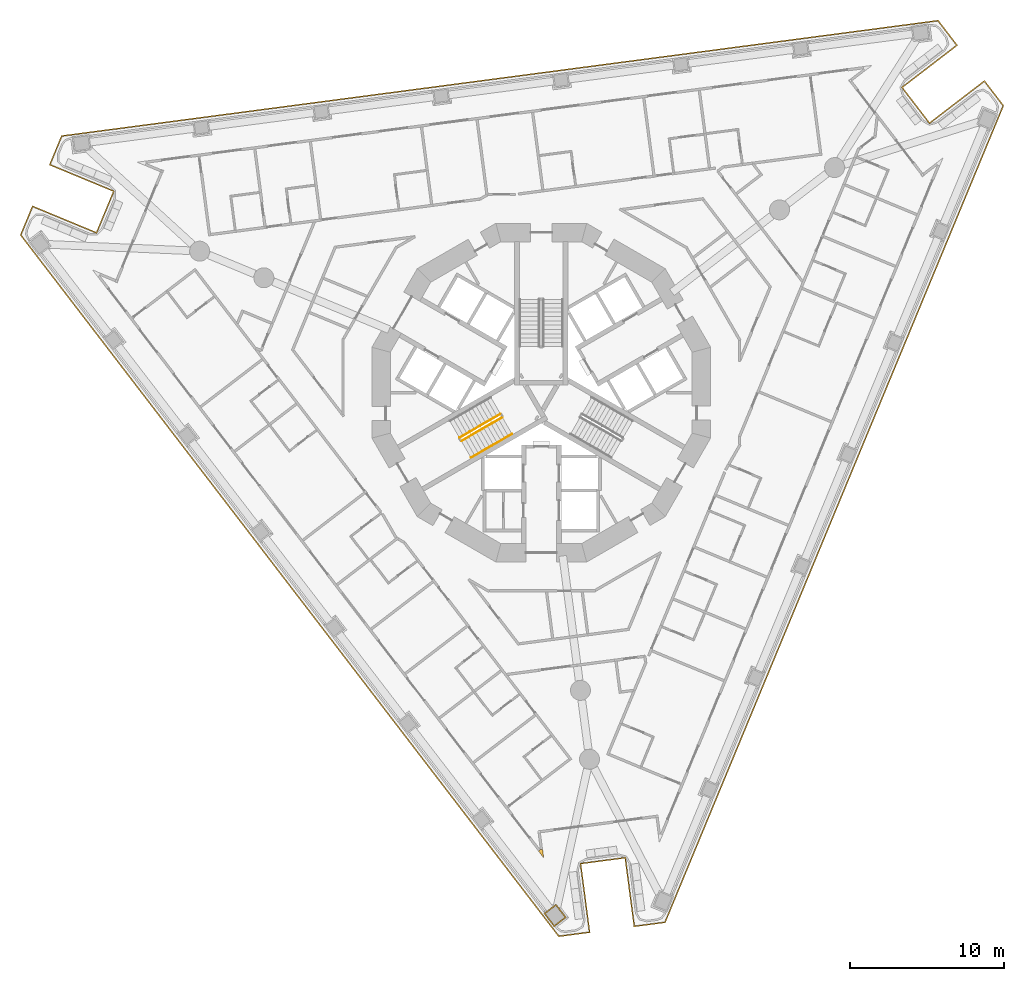
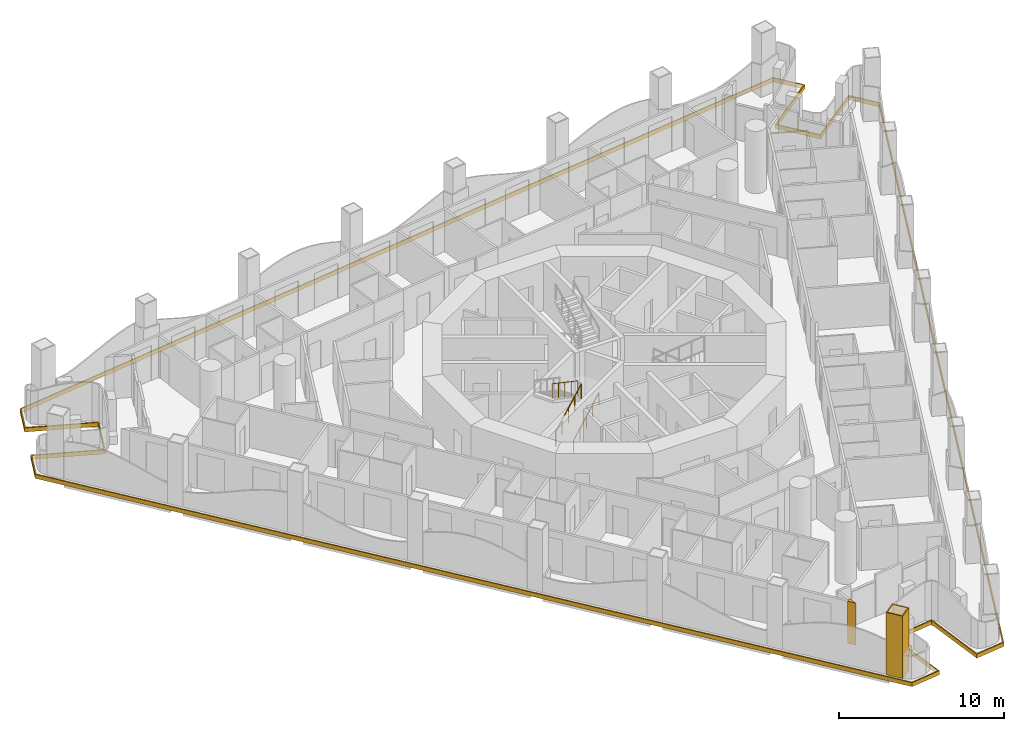
# One storey, part 13 of 19: 4 railings, 3 coverings.
"""IFC4 building model written with IfcOpenShell, lengths in metres."""

import ifcopenshell
import ifcopenshell.guid

model = None  # the IFC model being written
_history = None  # IfcOwnerHistory: only IFC2X3 demands one
_inside = {}  # id of a spatial element -> (the spatial element, [elements in it])
_under = {}  # id of a project, library or spatial element -> (it, [spatial elements below it])
_declared = {}  # id of a project -> (the project, [libraries it declares])
_typed = {}  # id of a type object -> (the type object, [elements of that type])
_made_of = {}  # id of a material, layer set ... -> (it, [elements and type objects made of it])


def new_model(schema):
    """Start an empty IFC model of exactly this schema.

    Asked for "IFC4X3", IfcOpenShell would pick the latest addendum, in which some entities
    have other attributes; the version numbers below select the first issue.
    IFC2X3 requires an IfcOwnerHistory on every rooted entity: one is made here for all.
    """
    global model, _history
    if schema == "IFC4X3":
        model = ifcopenshell.file(schema_version=(4, 3, 0, 0))
    else:
        model = ifcopenshell.file(schema=schema)
    _inside.clear()
    _under.clear()
    _declared.clear()
    _typed.clear()
    _made_of.clear()
    _history = None
    if model.schema == "IFC2X3":
        org = make("IfcOrganization", Name="unknown")
        user = make(
            "IfcPersonAndOrganization",
            ThePerson=make("IfcPerson", FamilyName="unknown"),
            TheOrganization=org,
        )
        app = make(
            "IfcApplication",
            ApplicationDeveloper=org,
            Version="unknown",
            ApplicationFullName="unknown",
            ApplicationIdentifier="unknown",
        )
        _history = make(
            "IfcOwnerHistory",
            OwningUser=user,
            OwningApplication=app,
            ChangeAction="ADDED",
            CreationDate=0,
        )
    return model


def make(cls, **values):
    """One entity of the class cls with the attributes given. An attribute that is None is left unset."""
    return model.create_entity(
        cls, **{name: value for name, value in values.items() if value is not None}
    )


def rooted(cls, **values):
    """An entity with a GlobalId (a new one), such as an element, a storey or a relation."""
    return make(cls, GlobalId=ifcopenshell.guid.new(), OwnerHistory=_history, **values)


def si_unit(unit_type, name, prefix=None):
    """IfcSIUnit, for example si_unit("LENGTHUNIT", "METRE", prefix="MILLI")."""
    return make("IfcSIUnit", UnitType=unit_type, Prefix=prefix, Name=name)


def assignment(units):
    """IfcUnitAssignment: the units of a project."""
    return None if units is None else make("IfcUnitAssignment", Units=units)


def point(xyz):
    """IfcCartesianPoint."""
    return None if xyz is None else make("IfcCartesianPoint", Coordinates=xyz)


def direction(xyz):
    """IfcDirection."""
    return None if xyz is None else make("IfcDirection", DirectionRatios=xyz)


def frame(location, z_axis=None, x_axis=None):
    """IfcAxis2Placement3D, a coordinate frame: its origin and axes. An axis left out is left unset."""
    return make(
        "IfcAxis2Placement3D",
        Location=point(location),
        Axis=direction(z_axis),
        RefDirection=direction(x_axis),
    )


def frame_2d(location, x_axis=None):
    """IfcAxis2Placement2D, a coordinate frame in the plane: its origin and x axis."""
    return make(
        "IfcAxis2Placement2D", Location=point(location), RefDirection=direction(x_axis)
    )


def origin():
    """The frame at (0, 0, 0) with its axes left unset."""
    return frame((0.0, 0.0, 0.0))


def origin_2d():
    """The frame at (0, 0) in the plane with its x axis left unset."""
    return frame_2d((0.0, 0.0))


def place(relative_to, where):
    """IfcLocalPlacement: puts the frame where relative to a parent placement (None: the world)."""
    return make(
        "IfcLocalPlacement", PlacementRelTo=relative_to, RelativePlacement=where
    )


def context(
    kind, dimensions, precision=None, world=None, true_north=None, identifier=None
):
    """IfcGeometricRepresentationContext, for example the 3D "Model" context."""
    return make(
        "IfcGeometricRepresentationContext",
        ContextIdentifier=identifier,
        ContextType=kind,
        CoordinateSpaceDimension=dimensions,
        Precision=precision,
        WorldCoordinateSystem=world,
        TrueNorth=true_north,
    )


def subcontext(parent, identifier, kind, view, scale=None):
    """IfcGeometricRepresentationSubContext, for example "Body" below "Model"."""
    return make(
        "IfcGeometricRepresentationSubContext",
        ContextIdentifier=identifier,
        ContextType=kind,
        ParentContext=parent,
        TargetScale=scale,
        TargetView=view,
    )


def project(units=None, contexts=None):
    """IfcProject with its units and contexts."""
    return rooted(
        "IfcProject",
        Name="project",
        RepresentationContexts=contexts,
        UnitsInContext=assignment(units),
    )


def spatial(cls, under=None, at=None, **own):
    """A site, building, storey or space (cls), placed at a placement, below another one or the project."""
    s = rooted(cls, ObjectPlacement=at, **own)
    if under is not None:
        _under.setdefault(under.id(), (under, []))[1].append(s)
    return s


def polyline(points):
    """IfcPolyline through the points."""
    return make("IfcPolyline", Points=[point(p) for p in points])


def profile(cls, at=None, kind="AREA", **sizes):
    """A parametric profile (cls). Its sizes go by their IFC names, for example OverallWidth=200.0."""
    return make(cls, ProfileType=kind, Position=at, **sizes)


def circle(**sizes):
    """IfcCircleProfileDef."""
    return profile("IfcCircleProfileDef", **sizes)


def outline(outer, holes=None, kind="AREA"):
    """IfcArbitraryClosedProfileDef: a profile drawn as a closed curve; with holes, ...WithVoids."""
    if holes is None:
        return make("IfcArbitraryClosedProfileDef", ProfileType=kind, OuterCurve=outer)
    return make(
        "IfcArbitraryProfileDefWithVoids",
        ProfileType=kind,
        OuterCurve=outer,
        InnerCurves=holes,
    )


def extrude(swept, where, along, depth):
    """IfcExtrudedAreaSolid: the profile swept, set in the frame where, extruded along a direction by depth."""
    return make(
        "IfcExtrudedAreaSolid",
        SweptArea=swept,
        Position=where,
        ExtrudedDirection=direction(along),
        Depth=depth,
    )


def shape(context_of_items, identifier, shape_type, items):
    """IfcShapeRepresentation: the items that make up one representation, for example the "Body"."""
    return make(
        "IfcShapeRepresentation",
        ContextOfItems=context_of_items,
        RepresentationIdentifier=identifier,
        RepresentationType=shape_type,
        Items=items,
    )


def material(Name=None, Category=None):
    """IfcMaterial."""
    return make("IfcMaterial", Name=Name, Category=Category)


def layer(
    of_material, thickness, ventilated=None, Name=None, Category=None, Priority=None
):
    """IfcMaterialLayer: one layer of a wall or slab, of a material (None: an air gap)."""
    return make(
        "IfcMaterialLayer",
        Material=of_material,
        LayerThickness=thickness,
        IsVentilated=ventilated,
        Name=Name,
        Category=Category,
        Priority=Priority,
    )


def layer_set(layers, Name=None):
    """IfcMaterialLayerSet."""
    return make("IfcMaterialLayerSet", MaterialLayers=layers, LayerSetName=Name)


def made_of(thing, what):
    """Note that an element or type object is made of a material, layer set ...; save() writes the relation."""
    if what is not None:
        _made_of.setdefault(what.id(), (what, []))[1].append(thing)
    return thing


def type_object(cls, material=None, **own):
    """A type object (cls), such as IfcWallType, which elements share."""
    return made_of(rooted(cls, **own), material)


def element(
    cls,
    number,
    at=None,
    inside=None,
    cuts=None,
    type_object=None,
    material=None,
    context=None,
    identifier="Body",
    shape_type=None,
    held_by="IfcProductDefinitionShape",
    body=None,
    shapes=None,
    **own,
):
    """One element of the class cls, such as IfcWall. Its Tag is "e" and its number.

    at: its placement. inside: the storey or other place that contains it. cuts: it is an
    opening in that element (IfcRelVoidsElement). A single representation is given by context,
    identifier, shape_type and body (its items); several are given by shapes. held_by: the class
    of the entity that holds the representations. save() writes the other relations.
    """
    e = rooted(cls, Tag="e%d" % number, ObjectPlacement=at, **own)
    if body is not None:
        shapes = [shape(context, identifier, shape_type, body)]
    if shapes is not None:
        e.Representation = make(held_by, Representations=shapes)
    if inside is not None:
        _inside.setdefault(inside.id(), (inside, []))[1].append(e)
    if cuts is not None:
        rooted(
            "IfcRelVoidsElement", RelatingBuildingElement=cuts, RelatedOpeningElement=e
        )
    if type_object is not None:
        _typed.setdefault(type_object.id(), (type_object, []))[1].append(e)
    return made_of(e, material)


def aggregate(whole, parts):
    """IfcRelAggregates: a whole, such as a stair, and the parts it consists of."""
    return rooted("IfcRelAggregates", RelatingObject=whole, RelatedObjects=parts)


def save(model, path):
    """Write the relations noted so far, then the file.

    IfcRelAggregates (storeys below a building ...), IfcRelContainedInSpatialStructure (elements
    in a storey), IfcRelDefinesByType, IfcRelAssociatesMaterial and IfcRelDeclares: one each for
    every whole, place, type object, material and project.
    """
    for whole, parts in _under.values():
        aggregate(whole, parts)
    for where, things in _inside.values():
        rooted(
            "IfcRelContainedInSpatialStructure",
            RelatedElements=things,
            RelatingStructure=where,
        )
    for kind, things in _typed.values():
        rooted("IfcRelDefinesByType", RelatedObjects=things, RelatingType=kind)
    for what, things in _made_of.values():
        rooted("IfcRelAssociatesMaterial", RelatedObjects=things, RelatingMaterial=what)
    for by, libraries in _declared.values():
        rooted("IfcRelDeclares", RelatingContext=by, RelatedDefinitions=libraries)
    model.write(path)


model = new_model("IFC4")

# Units and contexts
model_context = context("Model", 3, precision=1e-05, world=origin(), true_north=direction((0.0, 1.0)))
body_context = subcontext(model_context, "Body", "Model", "MODEL_VIEW")
ifc_project = project(units=[si_unit("LENGTHUNIT", "METRE"), si_unit("AREAUNIT", "SQUARE_METRE"), si_unit("VOLUMEUNIT", "CUBIC_METRE"), si_unit("PLANEANGLEUNIT", "RADIAN"), si_unit("MASSUNIT", "GRAM", prefix="KILO")], contexts=[model_context])

# Site, building, storey
site_placement = place(None, origin())
site = spatial("IfcSite", under=ifc_project, at=site_placement, CompositionType="ELEMENT")
building_placement = place(site_placement, origin())
building = spatial("IfcBuilding", under=site, at=building_placement, Name="Trine Commons Tower", CompositionType="ELEMENT")
storey_placement = place(building_placement, frame((0.0, 0.0, 79.199951171875)))
storey = spatial("IfcBuildingStorey", under=building, at=storey_placement, Name="L19", CompositionType="ELEMENT", Elevation=79.199951171875)

# Coverings
ifc_material_1 = material(Name="Aluminium-framed insulated wall panel", Category="aluminium")
ifc_layer_1 = layer(ifc_material_1, 0.14990234375)
ifc_layer_set_1 = layer_set([ifc_layer_1], Name="Aluminium-framed insulated wall panel")
covering_type_1 = type_object("IfcCoveringType", Name="Glazing corner post, aluminium", PredefinedType="CLADDING", material=ifc_layer_set_1)
covering_1_placement = place(storey_placement, origin())
element("IfcCovering", 1, at=covering_1_placement, inside=storey, type_object=covering_type_1, Name="Glazing corner post 2-12", PredefinedType="CLADDING", context=body_context, shape_type="SweptSolid", body=[
    extrude(outline(polyline([(79.818603515625, 32.697021484375), (80.159423828125, 32.2529296875), (80.086181640625, 32.80810546875), (79.9375, 32.788330078125), (79.818603515625, 32.697021484375)])), origin(), (0.0, 0.0, 1.0), 3.10009765625),
])
ifc_material_2 = material(Name="Limestone, honed", Category="masonry")
ifc_layer_2 = layer(ifc_material_2, 0.074951171875)
ifc_layer_set_2 = layer_set([ifc_layer_2], Name="Limestone, honed")
covering_type_2 = type_object("IfcCoveringType", Name="Limestone column cladding 75", PredefinedType="CLADDING", material=ifc_layer_set_2)
covering_2_placement = place(storey_placement, origin())
element("IfcCovering", 2, at=covering_2_placement, inside=storey, type_object=covering_type_2, Name="Limestone pier cladding 2-01", PredefinedType="CLADDING", context=body_context, shape_type="SweptSolid", body=[
    extrude(outline(polyline([(80.96142578125, 29.2529296875), (80.16796875, 28.644287109375), (80.837646484375, 27.771484375), (81.631103515625, 28.38037109375), (80.96142578125, 29.2529296875)]), holes=[polyline([(80.947509765625, 29.14794921875), (80.273193359375, 28.63037109375), (80.8515625, 27.876708984375), (81.52587890625, 28.394287109375), (80.947509765625, 29.14794921875)])]), origin(), (0.0, 0.0, 1.0), 4.609619140625),
])
ifc_layer_3 = layer(ifc_material_2, 0.074951171875)
ifc_layer_set_3 = layer_set([ifc_layer_3], Name="Limestone, honed")
covering_type_3 = type_object("IfcCoveringType", Name="Limestone spandrel panel 75", PredefinedType="CLADDING", material=ifc_layer_set_3)
covering_3_placement = place(storey_placement, frame((0.0, 0.0, -0.300048828125)))
element("IfcCovering", 3, at=covering_3_placement, inside=storey, type_object=covering_type_3, Name="Limestone spandrel panel 2-01", PredefinedType="CLADDING", context=body_context, shape_type="SweptSolid", body=[
    extrude(outline(polyline([(85.423583984375, 32.220458984375), (86.010986328125, 27.7587890625), (88.07568359375, 28.03076171875), (110.083740234375, 81.1630859375), (108.816162109375, 82.815185546875), (105.24609375, 80.07568359375), (103.510986328125, 82.3369140625), (107.081298828125, 85.076416015625), (105.8134765625, 86.728515625), (48.79541015625, 79.2216796875), (47.998291015625, 77.2978515625), (52.156005859375, 75.57568359375), (51.065185546875, 72.94287109375), (46.90771484375, 74.664794921875), (46.11083984375, 72.740966796875), (81.120849609375, 27.114990234375), (83.185302734375, 27.386962890625), (82.59814453125, 31.848388671875), (85.423583984375, 32.220458984375)]), holes=[polyline([(108.80224609375, 82.710205078125), (109.998046875, 81.15185546875), (88.02294921875, 28.099365234375), (86.07568359375, 27.843017578125), (85.48828125, 32.304443359375), (82.513916015625, 31.912841796875), (83.101318359375, 27.451416015625), (81.154052734375, 27.195068359375), (46.19677734375, 72.752197265625), (46.948486328125, 74.56689453125), (51.105712890625, 72.8447265625), (52.25390625, 75.616455078125), (48.096435546875, 77.33837890625), (48.847900390625, 79.153076171875), (105.780517578125, 86.6484375), (106.97607421875, 85.090087890625), (103.406005859375, 82.3505859375), (105.232177734375, 79.970703125), (108.80224609375, 82.710205078125)])]), origin(), (0.0, 0.0, 1.0), 0.300048828125),
])

# Railings
ifc_material_3 = material(Name="Stainless steel balustrade", Category="steel")
railing_type_1 = type_object("IfcRailingType", Name="Stair guard, steel balustrade 1100", PredefinedType="GUARDRAIL", material=ifc_material_3)
railing_1_placement = place(storey_placement, frame((74.80517578125, 59.3564453125, 0.150146484375)))
element("IfcRailing", 4, at=railing_1_placement, inside=storey, type_object=railing_type_1, Name="L19 ST2A stair guard 1", PredefinedType="GUARDRAIL", context=body_context, shape_type="SweptSolid", body=[
    extrude(circle(Radius=0.02392578125, at=origin_2d()), frame((0.0, 0.0, 1.076171875), z_axis=(0.76340495495, 0.440743040072, 0.472184759798), x_axis=(-0.499992328818, 0.866029832698, 0.0)), (0.0, 0.0, 1.0), 3.494140625),
    extrude(circle(Radius=0.02099609375, at=origin_2d()), origin(), (0.0, 0.0, 1.0), 1.052001953125),
    extrude(circle(Radius=0.02099609375, at=origin_2d()), frame((0.6669921875, 0.385009765625, 0.41259765625)), (0.0, 0.0, 1.0), 1.052001953125),
    extrude(circle(Radius=0.02099609375, at=origin_2d()), frame((1.333740234375, 0.77001953125, 0.824951171875)), (0.0, 0.0, 1.0), 1.052001953125),
    extrude(circle(Radius=0.02099609375, at=origin_2d()), frame((2.00048828125, 1.155029296875, 1.2373046875)), (0.0, 0.0, 1.0), 1.052001953125),
    extrude(circle(Radius=0.02099609375, at=origin_2d()), frame((2.66748046875, 1.5400390625, 1.64990234375)), (0.0, 0.0, 1.0), 1.052001953125),
])
railing_2_placement = place(storey_placement, frame((77.34765625, 61.113037109375, 1.949951171875)))
element("IfcRailing", 5, at=railing_2_placement, inside=storey, type_object=railing_type_1, Name="L19 ST2A stair guard 3", PredefinedType="GUARDRAIL", context=body_context, shape_type="SweptSolid", body=[
    extrude(circle(Radius=0.02392578125, at=origin_2d()), frame((0.0, 0.0, 1.076171875), z_axis=(-0.763379768245, -0.440728498818, 0.472239049384), x_axis=(0.499992328818, -0.866029832698, 0.0)), (0.0, 0.0, 1.0), 3.494384765625),
    extrude(circle(Radius=0.02099609375, at=origin_2d()), origin(), (0.0, 0.0, 1.0), 1.052001953125),
    extrude(circle(Radius=0.02099609375, at=origin_2d()), frame((-0.6669921875, -0.385009765625, 0.41259765625)), (0.0, 0.0, 1.0), 1.052001953125),
    extrude(circle(Radius=0.02099609375, at=origin_2d()), frame((-1.333740234375, -0.77001953125, 0.8251953125)), (0.0, 0.0, 1.0), 1.052001953125),
    extrude(circle(Radius=0.02099609375, at=origin_2d()), frame((-2.00048828125, -1.155029296875, 1.237548828125)), (0.0, 0.0, 1.0), 1.052001953125),
    extrude(circle(Radius=0.02099609375, at=origin_2d()), frame((-2.66748046875, -1.5400390625, 1.650146484375)), (0.0, 0.0, 1.0), 1.052001953125),
])
ifc_material_4 = material(Name="Stainless steel handrail", Category="steel")
railing_type_2 = type_object("IfcRailingType", Name="Stair handrail, steel 900", PredefinedType="HANDRAIL", material=ifc_material_4)
for number, where, name in (
    (6, (75.43017578125, 58.27392578125, 0.150146484375), "L19 ST2A stair handrail 1"),
    (7, (76.763916015625, 59.0439453125, 0.97509765625), "L19 ST2A stair handrail 2"),
):
    element("IfcRailing", number, at=place(storey_placement, frame(where)), inside=storey, type_object=railing_type_2, Name=name, PredefinedType="HANDRAIL", context=body_context, shape_type="SweptSolid", body=[
        extrude(circle(Radius=0.02099609375, at=origin_2d()), frame((0.0, 0.0, 0.87890625), z_axis=(0.76340495495, 0.440743040072, 0.472184759798), x_axis=(-0.499992328818, 0.866029832698, 0.0)), (0.0, 0.0, 1.0), 1.7470703125),
        extrude(circle(Radius=0.01513671875, at=origin_2d()), origin(), (0.0, 0.0, 1.0), 0.85791015625),
        extrude(circle(Radius=0.01513671875, at=origin_2d()), frame((0.6669921875, 0.385009765625, 0.41259765625)), (0.0, 0.0, 1.0), 0.85791015625),
        extrude(circle(Radius=0.01513671875, at=origin_2d()), frame((1.333740234375, 0.77001953125, 0.824951171875)), (0.0, 0.0, 1.0), 0.85791015625),
    ])

save(model, "model.ifc")
